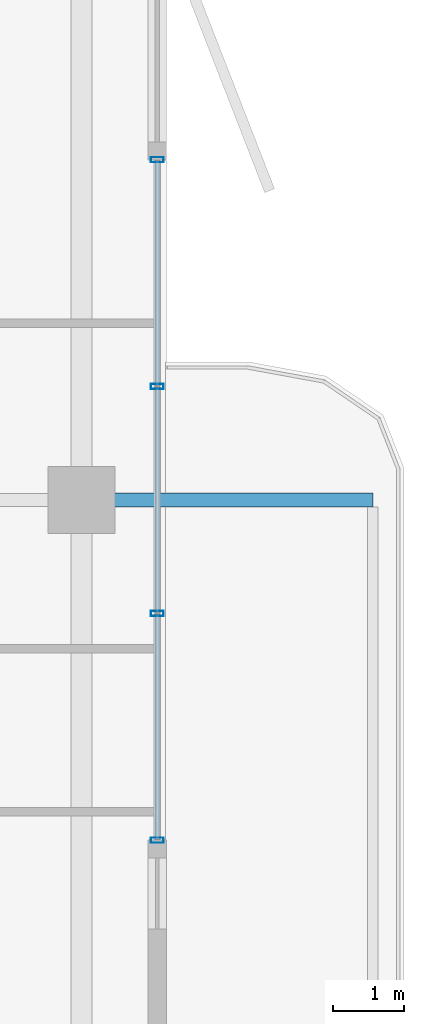
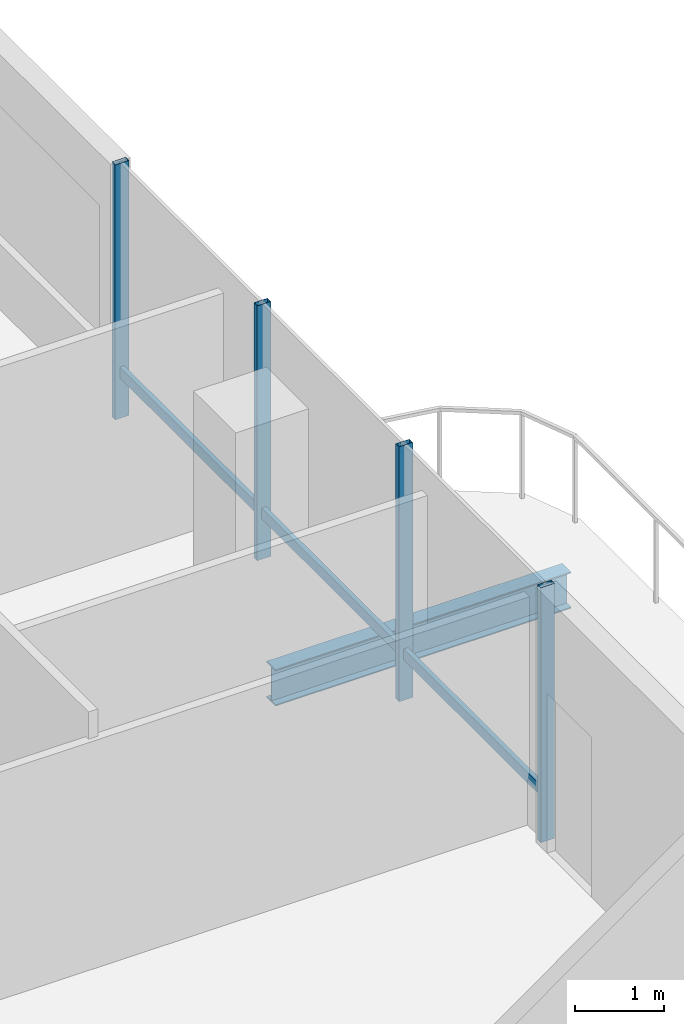
# One storey, part 8 of 17: 7 members, 1 beam, 1 element without a shape of its own.
"""IFC4 building model written with IfcOpenShell, lengths in metres."""

from ifc_helpers import new_model, si_unit, direction, frame, origin, origin_2d, place, context, subcontext, project, spatial, hollow_rectangle, i_section, extrude, material, layer, layer_set, material_profile, profile_set, type_object, element, aggregate, save


model = new_model("IFC4")

# Units and contexts
model_context = context("Model", 3, precision=1e-05, world=origin(), true_north=direction((0.0, 1.0)))
body_context = subcontext(model_context, "Body", "Model", "MODEL_VIEW")
ifc_project = project(units=[si_unit("LENGTHUNIT", "METRE"), si_unit("AREAUNIT", "SQUARE_METRE"), si_unit("VOLUMEUNIT", "CUBIC_METRE"), si_unit("PLANEANGLEUNIT", "RADIAN"), si_unit("MASSUNIT", "GRAM", prefix="KILO")], contexts=[model_context])

# Site, building, storey
site_placement = place(None, origin())
site = spatial("IfcSite", under=ifc_project, at=site_placement, CompositionType="ELEMENT")
building_placement = place(site_placement, origin())
building = spatial("IfcBuilding", under=site, at=building_placement, Name="Belovzor Exchange Tower", CompositionType="ELEMENT")
storey_placement = place(building_placement, frame((0.0, 0.0, 303.0)))
storey = spatial("IfcBuildingStorey", under=building, at=storey_placement, Name="L75", CompositionType="ELEMENT", Elevation=303.0)

# Beam
ifc_material_1 = material(Name="Steel S355", Category="steel")
ifc_material_profile_1 = material_profile(ifc_material_1, i_section(OverallWidth=0.199951171875, OverallDepth=0.5, WebThickness=0.01025390625, FlangeThickness=0.01611328125, at=origin_2d()))
ifc_profile_set_1 = profile_set([ifc_material_profile_1], Name="Steel S355")
beam_type = type_object("IfcBeamType", Name="Planted Balcony Cantilever Beam IPE 500", PredefinedType="BEAM", material=ifc_profile_set_1)
beam_placement = place(storey_placement, frame((50.660888671875, 28.800048828125, -0.489990234375), z_axis=(1.0, 0.0, 0.0), x_axis=(0.0, 1.0, 0.0)))
element("IfcBeam", 1, at=beam_placement, inside=storey, type_object=beam_type, Name="BC-500 Planted Balcony Cantilever Beam IPE 500", PredefinedType="BEAM", context=body_context, shape_type="SweptSolid", body=[
    extrude(i_section(OverallWidth=0.199951171875, OverallDepth=0.5, WebThickness=0.01025390625, FlangeThickness=0.01611328125, at=origin_2d()), origin(), (0.0, 0.0, 1.0), 3.85009765625),
])

# Curtain wall, members
ifc_material_2 = material(Name="Anodised Aluminium Framing", Category="aluminium")
ifc_layer = layer(ifc_material_2, 0.179931640625)
ifc_layer_set = layer_set([ifc_layer], Name="Anodised Aluminium Framing")
curtain_wall_type = type_object("IfcCurtainWallType", Name="Recessed Loggia Low-Iron Triple-Glazed Curtain Wall", PredefinedType="NOTDEFINED", material=ifc_layer_set)
curtain_wall_placement = place(storey_placement, origin())
curtain_wall = element("IfcCurtainWall", 2, at=curtain_wall_placement, inside=storey, type_object=curtain_wall_type, Name="CW3 Recessed Loggia Low-Iron Triple-Glazed Curtain Wall L75", PredefinedType="NOTDEFINED")
ifc_material_3 = material(Name="Steel S355", Category="steel")
ifc_material_profile_2 = material_profile(ifc_material_3, hollow_rectangle(XDim=0.074951171875, YDim=0.179931640625, WallThickness=0.0048828125, at=origin_2d()))
ifc_profile_set_2 = profile_set([ifc_material_profile_2], Name="Steel S355")
member_type_1 = type_object("IfcMemberType", Name="Thermally Broken Curtain Wall Mullion 180x75", PredefinedType="MULLION", material=ifc_profile_set_2)
member_1_placement = place(storey_placement, frame((51.469970703125, 33.60009765625, 0.0), z_axis=(0.0, 0.0, 1.0), x_axis=(0.0, -1.0, 0.0)))
member_1 = element("IfcMember", 3, at=member_1_placement, type_object=member_type_1, Name="CW-M180 Curtain Wall Mullion 1", PredefinedType="MULLION", context=body_context, shape_type="SweptSolid", body=[
    extrude(hollow_rectangle(XDim=0.074951171875, YDim=0.179931640625, WallThickness=0.0048828125, at=origin_2d()), origin(), (0.0, 0.0, 1.0), 3.510009765625),
])
member_2_placement = place(storey_placement, frame((51.469970703125, 30.39990234375, 0.0), z_axis=(0.0, 0.0, 1.0), x_axis=(0.0, -1.0, 0.0)))
member_2 = element("IfcMember", 4, at=member_2_placement, type_object=member_type_1, Name="CW-M180 Curtain Wall Mullion 2", PredefinedType="MULLION", context=body_context, shape_type="SweptSolid", body=[
    extrude(hollow_rectangle(XDim=0.074951171875, YDim=0.179931640625, WallThickness=0.0048828125, at=origin_2d()), origin(), (0.0, 0.0, 1.0), 3.510009765625),
])
member_3_placement = place(storey_placement, frame((51.469970703125, 27.199951171875, 0.0), z_axis=(0.0, 0.0, 1.0), x_axis=(0.0, -1.0, 0.0)))
member_3 = element("IfcMember", 5, at=member_3_placement, type_object=member_type_1, Name="CW-M180 Curtain Wall Mullion 3", PredefinedType="MULLION", context=body_context, shape_type="SweptSolid", body=[
    extrude(hollow_rectangle(XDim=0.074951171875, YDim=0.179931640625, WallThickness=0.0048828125, at=origin_2d()), origin(), (0.0, 0.0, 1.0), 3.510009765625),
])
member_4_placement = place(storey_placement, frame((51.469970703125, 24.0, 0.0), z_axis=(0.0, 0.0, 1.0), x_axis=(0.0, -1.0, 0.0)))
member_4 = element("IfcMember", 6, at=member_4_placement, type_object=member_type_1, Name="CW-M180 Curtain Wall Mullion 4", PredefinedType="MULLION", context=body_context, shape_type="SweptSolid", body=[
    extrude(hollow_rectangle(XDim=0.074951171875, YDim=0.179931640625, WallThickness=0.0048828125, at=origin_2d()), origin(), (0.0, 0.0, 1.0), 3.510009765625),
])
ifc_material_4 = material(Name="Steel S355", Category="steel")
ifc_material_profile_3 = material_profile(ifc_material_4, hollow_rectangle(XDim=0.06005859375, YDim=0.14990234375, WallThickness=0.00390625, at=origin_2d()))
ifc_profile_set_3 = profile_set([ifc_material_profile_3], Name="Steel S355")
member_type_2 = type_object("IfcMemberType", Name="Thermally Broken Curtain Wall Transom 150x60", PredefinedType="USERDEFINED", material=ifc_profile_set_3)
member_5_placement = place(storey_placement, frame((51.469970703125, 33.592041015625, 0.632080078125), z_axis=(0.0, -1.0, 0.0), x_axis=(1.0, 0.0, 0.0)))
member_5 = element("IfcMember", 7, at=member_5_placement, type_object=member_type_2, Name="CW-T150 Curtain Wall Transom 1", ObjectType="TRANSOM", PredefinedType="USERDEFINED", context=body_context, shape_type="SweptSolid", body=[
    extrude(hollow_rectangle(XDim=0.06005859375, YDim=0.14990234375, WallThickness=0.00390625, at=origin_2d()), origin(), (0.0, 0.0, 1.0), 3.18408203125),
])
member_6_placement = place(storey_placement, frame((51.469970703125, 30.39208984375, 0.632080078125), z_axis=(0.0, -1.0, 0.0), x_axis=(1.0, 0.0, 0.0)))
member_6 = element("IfcMember", 8, at=member_6_placement, type_object=member_type_2, Name="CW-T150 Curtain Wall Transom 2", ObjectType="TRANSOM", PredefinedType="USERDEFINED", context=body_context, shape_type="SweptSolid", body=[
    extrude(hollow_rectangle(XDim=0.06005859375, YDim=0.14990234375, WallThickness=0.00390625, at=origin_2d()), origin(), (0.0, 0.0, 1.0), 3.18408203125),
])
member_7_placement = place(storey_placement, frame((51.469970703125, 27.19189453125, 0.632080078125), z_axis=(0.0, -1.0, 0.0), x_axis=(1.0, 0.0, 0.0)))
member_7 = element("IfcMember", 9, at=member_7_placement, type_object=member_type_2, Name="CW-T150 Curtain Wall Transom 3", ObjectType="TRANSOM", PredefinedType="USERDEFINED", context=body_context, shape_type="SweptSolid", body=[
    extrude(hollow_rectangle(XDim=0.06005859375, YDim=0.14990234375, WallThickness=0.00390625, at=origin_2d()), origin(), (0.0, 0.0, 1.0), 3.183837890625),
])
aggregate(curtain_wall, [member_1, member_2, member_3, member_4, member_5, member_6, member_7])

save(model, "model.ifc")
